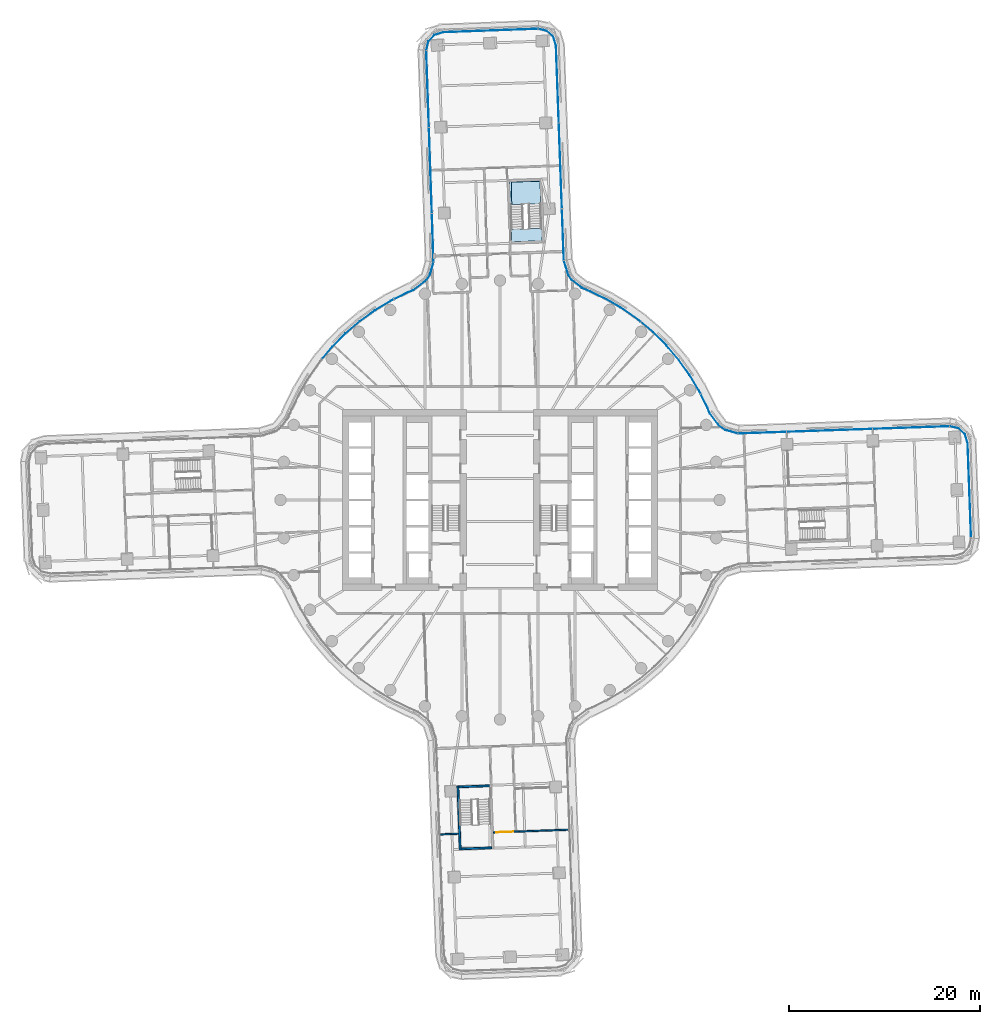
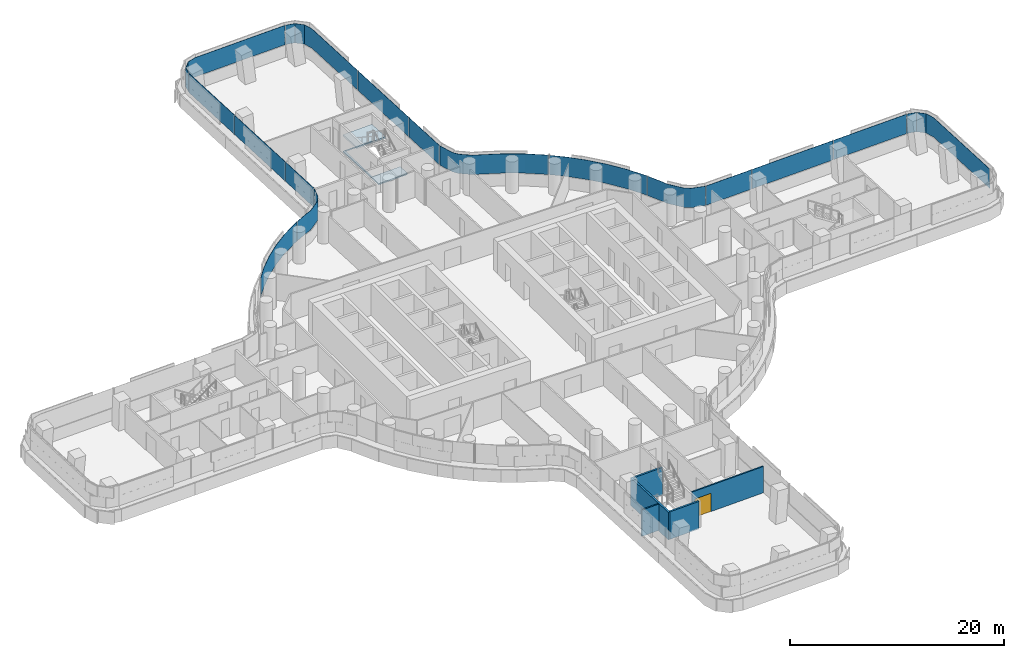
# One storey, part 18 of 31: 16 plates, 5 walls, 2 slabs, 1 door, 1 opening, 8 elements without a shape of their own.
"""IFC4 building model written with IfcOpenShell, lengths in metres."""

from ifc_helpers import new_model, si_unit, direction, frame, frame_2d, origin, place, context, subcontext, project, spatial, polyline, rectangle, outline, extrude, material, layer, layer_set, type_object, element, fill, aggregate, save


model = new_model("IFC4")

# Units and contexts
model_context = context("Model", 3, precision=1e-05, world=origin(), true_north=direction((0.0, 1.0)))
body_context = subcontext(model_context, "Body", "Model", "MODEL_VIEW")
ifc_project = project(units=[si_unit("LENGTHUNIT", "METRE"), si_unit("AREAUNIT", "SQUARE_METRE"), si_unit("VOLUMEUNIT", "CUBIC_METRE"), si_unit("PLANEANGLEUNIT", "RADIAN"), si_unit("MASSUNIT", "GRAM", prefix="KILO")], contexts=[model_context])

# Site, building, storey
site_placement = place(None, origin())
site = spatial("IfcSite", under=ifc_project, at=site_placement, CompositionType="ELEMENT")
building_placement = place(site_placement, origin())
building = spatial("IfcBuilding", under=site, at=building_placement, Name="Tamarind Cross Interchange Tower", CompositionType="ELEMENT")
storey_placement = place(building_placement, frame((0.0, 0.0, 41.5)))
storey = spatial("IfcBuildingStorey", under=building, at=storey_placement, Name="L08", CompositionType="ELEMENT", Elevation=41.5)

# Slab
ifc_material_1 = material(Name="Concrete C35", Category="concrete")
ifc_layer_1 = layer(ifc_material_1, 0.139892578125)
ifc_layer_set_1 = layer_set([ifc_layer_1], Name="Concrete C35")
slab_type_1 = type_object("IfcSlabType", Name="Composite slab 140 Concrete C35", PredefinedType="FLOOR", material=ifc_layer_set_1)
slab_1_placement = place(storey_placement, frame((0.0, 0.0, -0.139892578125)))
element("IfcSlab", 1, at=slab_1_placement, inside=storey, type_object=slab_type_1, Name="Floor slab L08", PredefinedType="FLOOR", context=body_context, shape_type="SweptSolid", body=[
    extrude(outline(polyline([(1.193603515625, 33.323486328125), (4.18798828125, 33.37841796875), (4.184814453125, 33.460205078125), (0.987060546875, 33.343505859375), (1.216796875, 27.047607421875), (4.41455078125, 27.164306640625), (4.36865234375, 28.427001953125), (4.36669921875, 28.4755859375), (1.2841796875, 28.363037109375), (1.193603515625, 33.323486328125)])), origin(), (0.0, 0.0, 1.0), 0.139892578125),
])

# Stair, slab
ifc_material_2 = material(Name="Exit stair")
stair_type = type_object("IfcStairType", Name="Exit stair", PredefinedType="HALF_TURN_STAIR", material=ifc_material_2)
stair_placement = place(storey_placement, origin())
stair = element("IfcStair", 2, at=stair_placement, inside=storey, type_object=stair_type, Name="L08 exit stair ST4", PredefinedType="HALF_TURN_STAIR")
ifc_material_3 = material(Name="Concrete C40", Category="concrete")
ifc_layer_2 = layer(ifc_material_3, 0.199951171875)
ifc_layer_set_2 = layer_set([ifc_layer_2], Name="Concrete C40")
slab_type_2 = type_object("IfcSlabType", Name="Stair landing", PredefinedType="LANDING", material=ifc_layer_set_2)
slab_2_placement = place(storey_placement, frame((0.0, 0.0, 1.675048828125)))
slab_2 = element("IfcSlab", 3, at=slab_2_placement, type_object=slab_type_2, Name="ST4 landing 1", PredefinedType="LANDING", context=body_context, shape_type="SweptSolid", body=[
    extrude(outline(polyline([(4.27294921875, 31.0498046875), (4.184814453125, 33.460205078125), (0.987060546875, 33.343505859375), (1.074951171875, 30.93310546875), (4.27294921875, 31.0498046875)])), origin(), (0.0, 0.0, 1.0), 0.199951171875),
])
aggregate(stair, [slab_2])

# Curtain wall, plate
ifc_material_4 = material(Name="Aluminium 6063-T6", Category="aluminium")
ifc_layer_3 = layer(ifc_material_4, 0.159912109375)
ifc_layer_set_3 = layer_set([ifc_layer_3], Name="Aluminium 6063-T6")
curtain_wall_type = type_object("IfcCurtainWallType", Name="Office curtain wall, 9.0 m bays", PredefinedType="NOTDEFINED", material=ifc_layer_set_3)
curtain_wall_1_placement = place(storey_placement, origin())
curtain_wall_1 = element("IfcCurtainWall", 4, at=curtain_wall_1_placement, inside=storey, type_object=curtain_wall_type, Name="CWS-L08-08", PredefinedType="NOTDEFINED")
ifc_material_5 = material(Name="Laminated low-e glass 8+1.52+8", Category="glass")
ifc_layer_4 = layer(ifc_material_5, 0.028076171875)
ifc_layer_set_4 = layer_set([ifc_layer_4], Name="Laminated low-e glass 8+1.52+8")
plate_type = type_object("IfcPlateType", Name="Vision panel CW1", PredefinedType="CURTAIN_PANEL", material=ifc_layer_set_4)
plate_1_placement = place(storey_placement, frame((0.0, 0.0, 1.39990234375)))
plate_1 = element("IfcPlate", 5, at=plate_1_placement, type_object=plate_type, Name="CWP-L08-08-00", PredefinedType="CURTAIN_PANEL", context=body_context, shape_type="SweptSolid", body=[
    extrude(outline(polyline([(49.350341796875, -3.948974609375), (48.98876953125, 5.9599609375), (48.709716796875, 6.86767578125), (48.035400390625, 7.494384765625), (47.136962890625, 7.700439453125), (47.14306640625, 7.727783203125), (48.049072265625, 7.52001953125), (48.734130859375, 6.883056640625), (49.0166015625, 5.964599609375), (49.37841796875, -3.947998046875), (49.350341796875, -3.948974609375)])), origin(), (0.0, 0.0, 1.0), 2.210205078125),
])
aggregate(curtain_wall_1, [plate_1])

# Curtain wall, plates
curtain_wall_2_placement = place(storey_placement, origin())
curtain_wall_2 = element("IfcCurtainWall", 6, at=curtain_wall_2_placement, inside=storey, type_object=curtain_wall_type, Name="CWS-L08-09", PredefinedType="NOTDEFINED")
plate_2_placement = place(storey_placement, frame((0.0, 0.0, 1.39990234375)))
plate_2 = element("IfcPlate", 7, at=plate_2_placement, type_object=plate_type, Name="CWP-L08-09-00", PredefinedType="CURTAIN_PANEL", context=body_context, shape_type="SweptSolid", body=[
    extrude(outline(polyline([(47.081298828125, 7.705810546875), (39.042236328125, 7.429443359375), (39.041259765625, 7.45751953125), (47.080322265625, 7.733642578125), (47.081298828125, 7.705810546875)])), origin(), (0.0, 0.0, 1.0), 2.210205078125),
])
plate_3_placement = place(storey_placement, frame((0.0, 0.0, 1.39990234375)))
plate_3 = element("IfcPlate", 8, at=plate_3_placement, type_object=plate_type, Name="CWP-L08-09-01", PredefinedType="CURTAIN_PANEL", context=body_context, shape_type="SweptSolid", body=[
    extrude(outline(polyline([(38.982177734375, 7.427490234375), (30.045654296875, 7.120361328125), (30.044677734375, 7.1484375), (38.981201171875, 7.455322265625), (38.982177734375, 7.427490234375)])), origin(), (0.0, 0.0, 1.0), 2.210205078125),
])
plate_4_placement = place(storey_placement, frame((0.0, 0.0, 1.39990234375)))
plate_4 = element("IfcPlate", 9, at=plate_4_placement, type_object=plate_type, Name="CWP-L08-09-02", PredefinedType="CURTAIN_PANEL", context=body_context, shape_type="SweptSolid", body=[
    extrude(outline(polyline([(29.985595703125, 7.118408203125), (24.97998046875, 6.9462890625), (24.97900390625, 6.974365234375), (29.984619140625, 7.146240234375), (29.985595703125, 7.118408203125)])), origin(), (0.0, 0.0, 1.0), 2.210205078125),
])
aggregate(curtain_wall_2, [plate_2, plate_3, plate_4])

curtain_wall_3_placement = place(storey_placement, origin())
curtain_wall_3 = element("IfcCurtainWall", 10, at=curtain_wall_3_placement, inside=storey, type_object=curtain_wall_type, Name="CWS-L08-10", PredefinedType="NOTDEFINED")
plate_5_placement = place(storey_placement, frame((0.0, 0.0, 1.39990234375)))
plate_5 = element("IfcPlate", 11, at=plate_5_placement, type_object=plate_type, Name="CWP-L08-10-00", PredefinedType="CURTAIN_PANEL", context=body_context, shape_type="SweptSolid", body=[
    extrude(outline(polyline([(24.916748046875, 6.953857421875), (23.576416015625, 7.328125), (23.0224609375, 7.692138671875), (21.974609375, 9.06298828125), (21.73779296875, 9.645751953125), (21.03662109375, 11.064697265625), (21.061767578125, 11.0771484375), (21.763427734375, 9.6572265625), (21.999267578125, 9.0771484375), (23.041748046875, 7.712890625), (23.588134765625, 7.35400390625), (24.92431640625, 6.980712890625), (24.916748046875, 6.953857421875)])), origin(), (0.0, 0.0, 1.0), 2.210205078125),
])
plate_6_placement = place(storey_placement, frame((0.0, 0.0, 1.39990234375)))
plate_6 = element("IfcPlate", 12, at=plate_6_placement, type_object=plate_type, Name="CWP-L08-10-01", PredefinedType="CURTAIN_PANEL", context=body_context, shape_type="SweptSolid", body=[
    extrude(outline(polyline([(21.010009765625, 11.118408203125), (20.866455078125, 11.40869140625), (19.85302734375, 13.093017578125), (18.7041015625, 14.687744140625), (17.42724609375, 16.18212890625), (16.031494140625, 17.56591796875), (14.787353515625, 18.610595703125), (14.805419921875, 18.632080078125), (16.05029296875, 17.586669921875), (17.44775390625, 16.201171875), (18.72607421875, 14.705078125), (19.87646484375, 13.1083984375), (20.89111328125, 11.422119140625), (21.03515625, 11.130859375), (21.010009765625, 11.118408203125)])), origin(), (0.0, 0.0, 1.0), 2.210205078125),
])
plate_7_placement = place(storey_placement, frame((0.0, 0.0, 1.39990234375)))
plate_7 = element("IfcPlate", 13, at=plate_7_placement, type_object=plate_type, Name="CWP-L08-10-02", PredefinedType="CURTAIN_PANEL", context=body_context, shape_type="SweptSolid", body=[
    extrude(outline(polyline([(14.741455078125, 18.649169921875), (14.526123046875, 18.829833984375), (12.921630859375, 19.965087890625), (11.228759765625, 20.9638671875), (9.45458984375, 21.82177734375), (8.577392578125, 22.2099609375), (7.522216796875, 23.033447265625), (7.159423828125, 23.5439453125), (6.686767578125, 25.069580078125), (6.713623046875, 25.077880859375), (7.184814453125, 23.556640625), (7.54248046875, 23.052978515625), (8.592041015625, 22.234130859375), (9.46630859375, 21.847412109375), (11.241943359375, 20.98876953125), (12.936767578125, 19.988525390625), (14.543212890625, 18.85205078125), (14.75927734375, 18.670654296875), (14.741455078125, 18.649169921875)])), origin(), (0.0, 0.0, 1.0), 2.210205078125),
])
aggregate(curtain_wall_3, [plate_5, plate_6, plate_7])

curtain_wall_4_placement = place(storey_placement, origin())
curtain_wall_4 = element("IfcCurtainWall", 14, at=curtain_wall_4_placement, inside=storey, type_object=curtain_wall_type, Name="CWS-L08-11", PredefinedType="NOTDEFINED")
plate_8_placement = place(storey_placement, frame((0.0, 0.0, 1.39990234375)))
plate_8 = element("IfcPlate", 15, at=plate_8_placement, type_object=plate_type, Name="CWP-L08-11-00", PredefinedType="CURTAIN_PANEL", context=body_context, shape_type="SweptSolid", body=[
    extrude(outline(polyline([(6.67626953125, 25.1318359375), (6.48095703125, 30.4853515625), (6.5087890625, 30.486328125), (6.704345703125, 25.1328125), (6.67626953125, 25.1318359375)])), origin(), (0.0, 0.0, 1.0), 2.210205078125),
])
plate_9_placement = place(storey_placement, frame((0.0, 0.0, 1.39990234375)))
plate_9 = element("IfcPlate", 16, at=plate_9_placement, type_object=plate_type, Name="CWP-L08-11-01", PredefinedType="CURTAIN_PANEL", context=body_context, shape_type="SweptSolid", body=[
    extrude(outline(polyline([(6.478759765625, 30.54541015625), (6.15283203125, 39.4794921875), (6.1806640625, 39.48046875), (6.506591796875, 30.54638671875), (6.478759765625, 30.54541015625)])), origin(), (0.0, 0.0, 1.0), 2.210205078125),
])
plate_10_placement = place(storey_placement, frame((0.0, 0.0, 1.39990234375)))
plate_10 = element("IfcPlate", 17, at=plate_10_placement, type_object=plate_type, Name="CWP-L08-11-02", PredefinedType="CURTAIN_PANEL", context=body_context, shape_type="SweptSolid", body=[
    extrude(outline(polyline([(6.150634765625, 39.53955078125), (5.856201171875, 47.6044921875), (5.5771484375, 48.512451171875), (4.90283203125, 49.13916015625), (4.004638671875, 49.344970703125), (4.010986328125, 49.372314453125), (4.91650390625, 49.164794921875), (5.601806640625, 48.52783203125), (5.884033203125, 47.609130859375), (6.178466796875, 39.54052734375), (6.150634765625, 39.53955078125)])), origin(), (0.0, 0.0, 1.0), 2.210205078125),
])
aggregate(curtain_wall_4, [plate_8, plate_9, plate_10])

# Curtain wall, plate
curtain_wall_5_placement = place(storey_placement, origin())
curtain_wall_5 = element("IfcCurtainWall", 18, at=curtain_wall_5_placement, inside=storey, type_object=curtain_wall_type, Name="CWS-L08-12", PredefinedType="NOTDEFINED")
plate_11_placement = place(storey_placement, frame((0.0, 0.0, 1.39990234375)))
plate_11 = element("IfcPlate", 19, at=plate_11_placement, type_object=plate_type, Name="CWP-L08-12-00", PredefinedType="CURTAIN_PANEL", context=body_context, shape_type="SweptSolid", body=[
    extrude(outline(polyline([(3.948974609375, 49.350341796875), (-5.9599609375, 48.98876953125), (-6.86767578125, 48.709716796875), (-7.494384765625, 48.035400390625), (-7.700439453125, 47.136962890625), (-7.727783203125, 47.14306640625), (-7.52001953125, 48.049072265625), (-6.883056640625, 48.734130859375), (-5.964599609375, 49.0166015625), (3.947998046875, 49.37841796875), (3.948974609375, 49.350341796875)])), origin(), (0.0, 0.0, 1.0), 2.210205078125),
])
aggregate(curtain_wall_5, [plate_11])

# Curtain wall, plates
curtain_wall_6_placement = place(storey_placement, origin())
curtain_wall_6 = element("IfcCurtainWall", 20, at=curtain_wall_6_placement, inside=storey, type_object=curtain_wall_type, Name="CWS-L08-13", PredefinedType="NOTDEFINED")
plate_12_placement = place(storey_placement, frame((0.0, 0.0, 1.39990234375)))
plate_12 = element("IfcPlate", 21, at=plate_12_placement, type_object=plate_type, Name="CWP-L08-13-00", PredefinedType="CURTAIN_PANEL", context=body_context, shape_type="SweptSolid", body=[
    extrude(outline(polyline([(-7.705810546875, 47.081298828125), (-7.429443359375, 39.042236328125), (-7.45751953125, 39.041259765625), (-7.733642578125, 47.080322265625), (-7.705810546875, 47.081298828125)])), origin(), (0.0, 0.0, 1.0), 2.210205078125),
])
plate_13_placement = place(storey_placement, frame((0.0, 0.0, 1.39990234375)))
plate_13 = element("IfcPlate", 22, at=plate_13_placement, type_object=plate_type, Name="CWP-L08-13-01", PredefinedType="CURTAIN_PANEL", context=body_context, shape_type="SweptSolid", body=[
    extrude(outline(polyline([(-7.427490234375, 38.982177734375), (-7.120361328125, 30.045654296875), (-7.1484375, 30.044677734375), (-7.455322265625, 38.981201171875), (-7.427490234375, 38.982177734375)])), origin(), (0.0, 0.0, 1.0), 2.210205078125),
])
plate_14_placement = place(storey_placement, frame((0.0, 0.0, 1.39990234375)))
plate_14 = element("IfcPlate", 23, at=plate_14_placement, type_object=plate_type, Name="CWP-L08-13-02", PredefinedType="CURTAIN_PANEL", context=body_context, shape_type="SweptSolid", body=[
    extrude(outline(polyline([(-7.118408203125, 29.985595703125), (-6.9462890625, 24.97998046875), (-6.974365234375, 24.97900390625), (-7.146240234375, 29.984619140625), (-7.118408203125, 29.985595703125)])), origin(), (0.0, 0.0, 1.0), 2.210205078125),
])
aggregate(curtain_wall_6, [plate_12, plate_13, plate_14])

curtain_wall_7_placement = place(storey_placement, origin())
curtain_wall_7 = element("IfcCurtainWall", 24, at=curtain_wall_7_placement, inside=storey, type_object=curtain_wall_type, Name="CWS-L08-14", PredefinedType="NOTDEFINED")
plate_15_placement = place(storey_placement, frame((0.0, 0.0, 1.39990234375)))
plate_15 = element("IfcPlate", 25, at=plate_15_placement, type_object=plate_type, Name="CWP-L08-14-00", PredefinedType="CURTAIN_PANEL", context=body_context, shape_type="SweptSolid", body=[
    extrude(outline(polyline([(-6.953857421875, 24.916748046875), (-7.328125, 23.576416015625), (-7.692138671875, 23.0224609375), (-9.06298828125, 21.974609375), (-9.645751953125, 21.73779296875), (-11.064697265625, 21.03662109375), (-11.0771484375, 21.061767578125), (-9.6572265625, 21.763427734375), (-9.0771484375, 21.999267578125), (-7.712890625, 23.041748046875), (-7.35400390625, 23.588134765625), (-6.980712890625, 24.92431640625), (-6.953857421875, 24.916748046875)])), origin(), (0.0, 0.0, 1.0), 2.210205078125),
])
plate_16_placement = place(storey_placement, frame((0.0, 0.0, 1.39990234375)))
plate_16 = element("IfcPlate", 26, at=plate_16_placement, type_object=plate_type, Name="CWP-L08-14-01", PredefinedType="CURTAIN_PANEL", context=body_context, shape_type="SweptSolid", body=[
    extrude(outline(polyline([(-11.118408203125, 21.010009765625), (-11.40869140625, 20.866455078125), (-13.093017578125, 19.85302734375), (-14.687744140625, 18.7041015625), (-16.18212890625, 17.42724609375), (-17.56591796875, 16.031494140625), (-18.610595703125, 14.787353515625), (-18.632080078125, 14.805419921875), (-17.586669921875, 16.05029296875), (-16.201171875, 17.44775390625), (-14.705078125, 18.72607421875), (-13.1083984375, 19.87646484375), (-11.422119140625, 20.89111328125), (-11.130859375, 21.03515625), (-11.118408203125, 21.010009765625)])), origin(), (0.0, 0.0, 1.0), 2.210205078125),
])
aggregate(curtain_wall_7, [plate_15, plate_16])

# Wall
ifc_material_6 = material(Name="Gypsum board partition on steel studs", Category="steel")
ifc_layer_5 = layer(ifc_material_6, 0.14990234375)
ifc_layer_set_5 = layer_set([ifc_layer_5], Name="Gypsum board partition on steel studs")
wall_type_1 = type_object("IfcWallType", Name="Partition 150 mm EI 120", PredefinedType="PARTITIONING", material=ifc_layer_set_5)
wall_1_placement = place(storey_placement, frame((-6.227783203125, -35.035888671875, 0.0), z_axis=(0.0, 0.0, 1.0), x_axis=(0.999328438813, 0.03664248054, 0.0)))
element("IfcWall", 27, at=wall_1_placement, inside=storey, type_object=wall_type_1, Name="Partition L08-056", PredefinedType="PARTITIONING", context=body_context, shape_type="SweptSolid", body=[
    extrude(rectangle(XDim=1.85888671875, YDim=0.14990234375, at=frame_2d((0.929443359375, 0.0))), origin(), (0.0, 0.0, 1.0), 3.010009765625),
])

# Wall, opening, door
wall_2_placement = place(storey_placement, frame((-0.693115234375, -34.8330078125, 0.0), z_axis=(0.0, 0.0, 1.0), x_axis=(0.99932690852, 0.036684191524, 0.0)))
wall_2 = element("IfcWall", 28, at=wall_2_placement, inside=storey, type_object=wall_type_1, Name="Partition L08-057", PredefinedType="PARTITIONING", context=body_context, shape_type="SweptSolid", body=[
    extrude(rectangle(XDim=7.886474609375, YDim=0.14990234375, at=frame_2d((3.943359375, 0.0))), origin(), (0.0, 0.0, 1.0), 3.010009765625),
])
opening_placement = place(wall_2_placement, frame((0.300048828125, 0.0, 0.0)))
opening = element("IfcOpeningElement", 29, at=opening_placement, cuts=wall_2, Name="Opening D31", PredefinedType="OPENING", context=body_context, shape_type="SweptSolid", body=[
    extrude(rectangle(XDim=1.800048828125, YDim=2.10009765625, at=frame_2d((0.89990234375, 1.050048828125))), frame((0.0, 0.0849609375, 0.0), z_axis=(0.0, -1.0, 0.0), x_axis=(1.0, 0.0, 0.0)), (0.0, 0.0, 1.0), 0.169921875),
])
ifc_material_7 = material(Name="Fire-resisting door set")
door_type = type_object("IfcDoorType", Name="Interior door 1800 x 2100 FD60S", OperationType="DOUBLE_DOOR_SINGLE_SWING", PredefinedType="DOOR", material=ifc_material_7)
door_placement = place(opening_placement, frame((1.800048828125, 0.0, 0.0), z_axis=(0.0, 0.0, 1.0), x_axis=(-1.0, 0.0, 0.0)))
door = element("IfcDoor", 30, at=door_placement, inside=storey, type_object=door_type, Name="Door D31", OperationType="DOUBLE_DOOR_SINGLE_SWING", OverallHeight=2.10009765625, OverallWidth=1.800048828125, PredefinedType="DOOR", context=body_context, shape_type="SweptSolid", body=[
    extrude(rectangle(XDim=1.800048828125, YDim=2.10009765625, at=frame_2d((0.89990234375, 1.050048828125))), frame((0.0, 0.02490234375, 0.0), z_axis=(0.0, -1.0, 0.0), x_axis=(1.0, 0.0, 0.0)), (0.0, 0.0, 1.0), 0.050048828125),
])
fill(opening, door)

# Walls
ifc_layer_6 = layer(ifc_material_3, 0.199951171875)
ifc_layer_set_6 = layer_set([ifc_layer_6], Name="Concrete C40")
wall_type_2 = type_object("IfcWallType", Name="Stair shaft wall 200 mm Concrete C40", PredefinedType="SHEAR", material=ifc_layer_set_6)
wall_3_placement = place(storey_placement, frame((-4.41259765625, -29.96630859375, -0.139892578125), z_axis=(0.0, 0.0, 1.0), x_axis=(0.036476584104, -0.999334507966, 0.0)))
element("IfcWall", 31, at=wall_3_placement, inside=storey, type_object=wall_type_2, Name="Core wall CWL-L08-ST6-C", PredefinedType="SHEAR", context=body_context, shape_type="SweptSolid", body=[
    extrude(rectangle(XDim=6.69970703125, YDim=0.199951171875, at=frame_2d((3.349853515625, 0.0))), origin(), (0.0, 0.0, 1.0), 3.14990234375),
])
wall_4_placement = place(storey_placement, frame((-4.308837890625, -30.0625, -0.139892578125), z_axis=(0.0, 0.0, 1.0), x_axis=(0.999334753975, 0.036469843671, 0.0)))
element("IfcWall", 32, at=wall_4_placement, inside=storey, type_object=wall_type_2, Name="Core wall CWL-L08-ST6-CE", PredefinedType="SHEAR", context=body_context, shape_type="SweptSolid", body=[
    extrude(rectangle(XDim=3.199951171875, YDim=0.199951171875, at=frame_2d((1.60009765625, 0.0))), origin(), (0.0, 0.0, 1.0), 3.14990234375),
])
wall_5_placement = place(storey_placement, frame((0.0, 0.0, -0.139892578125)))
element("IfcWall", 33, at=wall_5_placement, inside=storey, type_object=wall_type_2, Name="Core wall CWL-L08-ST6-CF", PredefinedType="SHEAR", context=body_context, shape_type="SweptSolid", body=[
    extrude(outline(polyline([(-4.075439453125, -36.458251953125), (-4.068115234375, -36.658203125), (-0.870361328125, -36.54150390625), (-0.877685546875, -36.341552734375), (-4.075439453125, -36.458251953125)])), origin(), (0.0, 0.0, 1.0), 3.14990234375),
])

save(model, "model.ifc")
